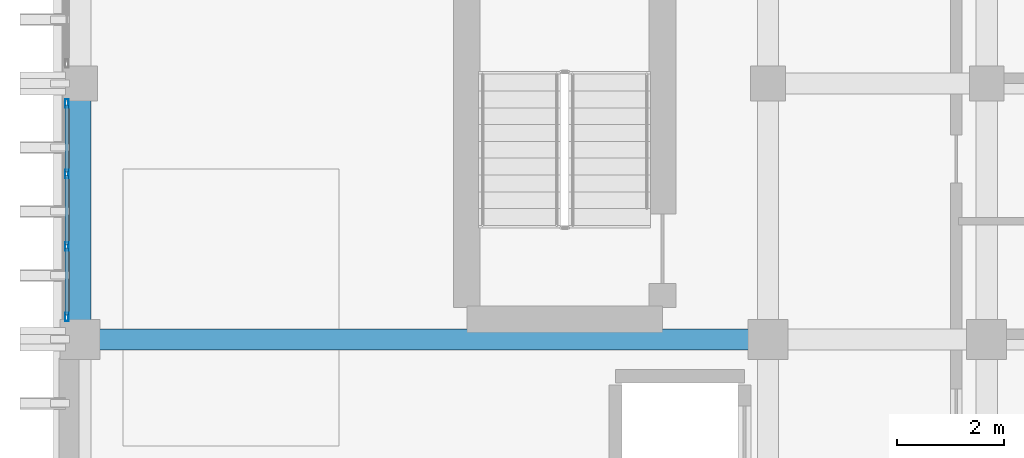
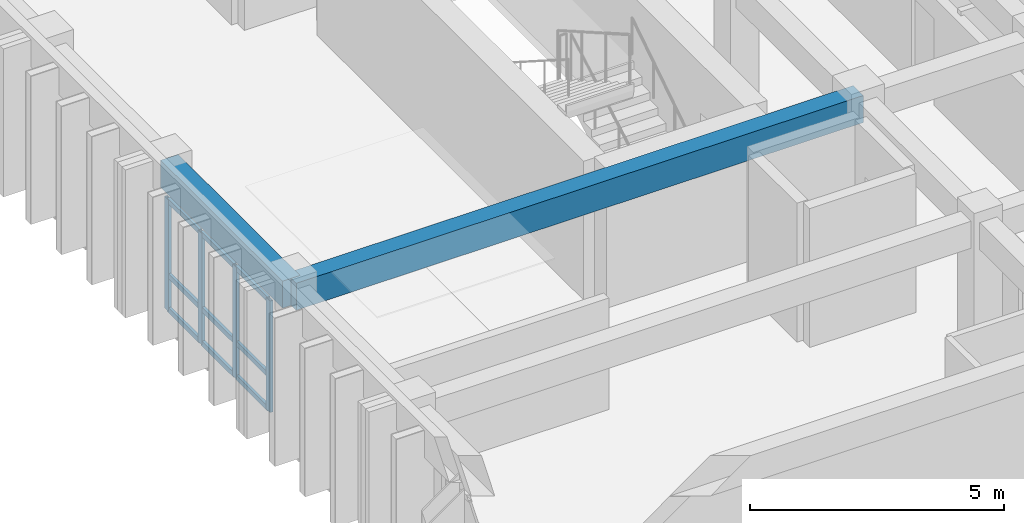
# One storey, part 20 of 64: 13 members, 2 beams, 1 element without a shape of its own.
"""IFC4 building model written with IfcOpenShell, lengths in metres."""

from ifc_helpers import new_model, si_unit, direction, frame, origin, origin_2d, place, context, subcontext, project, spatial, rectangle, hollow_rectangle, extrude, material, layer, layer_set, material_profile, profile_set, type_object, element, aggregate, save


model = new_model("IFC4")

# Units and contexts
model_context = context("Model", 3, precision=1e-05, world=origin(), true_north=direction((0.0, 1.0)))
body_context = subcontext(model_context, "Body", "Model", "MODEL_VIEW")
ifc_project = project(units=[si_unit("LENGTHUNIT", "METRE"), si_unit("AREAUNIT", "SQUARE_METRE"), si_unit("VOLUMEUNIT", "CUBIC_METRE"), si_unit("PLANEANGLEUNIT", "RADIAN"), si_unit("MASSUNIT", "GRAM", prefix="KILO")], contexts=[model_context])

# Site, building, storey
site_placement = place(None, origin())
site = spatial("IfcSite", under=ifc_project, at=site_placement, CompositionType="ELEMENT")
building_placement = place(site_placement, origin())
building = spatial("IfcBuilding", under=site, at=building_placement, Name="Nakhvara Creek Congress Hotel", CompositionType="ELEMENT")
storey_placement = place(building_placement, frame((0.0, 0.0, 28.199951171875)))
storey = spatial("IfcBuildingStorey", under=building, at=storey_placement, Name="L06", CompositionType="ELEMENT", Elevation=28.199951171875)

# Beams
ifc_material_1 = material(Name="Concrete C40/50", Category="concrete")
ifc_material_profile_1 = material_profile(ifc_material_1, rectangle(XDim=0.39990234375, YDim=0.64990234375, at=origin_2d()), Name="RC-BM 400x650", Category="LoadBearing")
ifc_profile_set_1 = profile_set([ifc_material_profile_1], Name="Concrete C40/50")
beam_type = type_object("IfcBeamType", Name="BM-RC-400X650", PredefinedType="BEAM", material=ifc_profile_set_1)
beam_1_placement = place(storey_placement, frame((149.449951171875, 76.800048828125, 3.01513671875), z_axis=(1.0, 0.0, 0.0), x_axis=(0.0, 1.0, 0.0)))
element("IfcBeam", 1, at=beam_1_placement, inside=storey, type_object=beam_type, Name="Beam B06-L06-2204", PredefinedType="BEAM", context=body_context, shape_type="SweptSolid", body=[
    extrude(rectangle(XDim=0.39990234375, YDim=0.64990234375, at=origin_2d()), origin(), (0.0, 0.0, 1.0), 12.900146484375),
])
beam_2_placement = place(storey_placement, frame((149.449951171875, 76.800048828125, 3.01513671875), z_axis=(0.0, 1.0, 0.0), x_axis=(-1.0, 0.0, 0.0)))
element("IfcBeam", 2, at=beam_2_placement, inside=storey, type_object=beam_type, Name="Beam B06-L06-2206", PredefinedType="BEAM", context=body_context, shape_type="SweptSolid", body=[
    extrude(rectangle(XDim=0.39990234375, YDim=0.64990234375, at=origin_2d()), origin(), (0.0, 0.0, 1.0), 4.800048828125),
])

# Curtain wall, members
ifc_material_2 = material(Name="Bronze-anodised aluminium AW-6063-T6 and double-silver low-E glass", Category="aluminium")
ifc_layer = layer(ifc_material_2, 0.199951171875)
ifc_layer_set = layer_set([ifc_layer], Name="Bronze-anodised aluminium AW-6063-T6 and double-silver low-E glass")
curtain_wall_type = type_object("IfcCurtainWallType", Name="CW-HTL-UNIT", PredefinedType="USERDEFINED", material=ifc_layer_set)
curtain_wall_placement = place(storey_placement, origin())
curtain_wall = element("IfcCurtainWall", 3, at=curtain_wall_placement, inside=storey, type_object=curtain_wall_type, Name="Curtain Wall CW240", ObjectType="UNITISED", PredefinedType="USERDEFINED")
ifc_material_3 = material(Name="Bronze-anodised aluminium AW-6063-T6", Category="aluminium")
ifc_material_profile_2 = material_profile(ifc_material_3, hollow_rectangle(XDim=0.06494140625, YDim=0.159912109375, WallThickness=0.00390625, at=origin_2d()), Name="ALU-MULL 65x160x4", Category="LoadBearing")
ifc_profile_set_2 = profile_set([ifc_material_profile_2], Name="Bronze-anodised aluminium AW-6063-T6")
member_type_1 = type_object("IfcMemberType", Name="CW-MULL-160", PredefinedType="MULLION", material=ifc_profile_set_2)
member_1_placement = place(storey_placement, frame((149.199951171875, 77.222412109375, 0.0), z_axis=(0.0, 0.0, 1.0), x_axis=(-1.0, 0.0, 0.0)))
member_1 = element("IfcMember", 4, at=member_1_placement, type_object=member_type_1, Name="CW240 mullion 1", PredefinedType="MULLION", context=body_context, shape_type="SweptSolid", body=[
    extrude(hollow_rectangle(XDim=0.06494140625, YDim=0.159912109375, WallThickness=0.00390625, at=origin_2d()), origin(), (0.0, 0.0, 1.0), 2.68212890625),
])
member_2_placement = place(storey_placement, frame((149.199951171875, 78.546630859375, 0.0), z_axis=(0.0, 0.0, 1.0), x_axis=(-1.0, 0.0, 0.0)))
member_2 = element("IfcMember", 5, at=member_2_placement, type_object=member_type_1, Name="CW240 mullion 2", PredefinedType="MULLION", context=body_context, shape_type="SweptSolid", body=[
    extrude(hollow_rectangle(XDim=0.06494140625, YDim=0.159912109375, WallThickness=0.00390625, at=origin_2d()), origin(), (0.0, 0.0, 1.0), 2.68212890625),
])
member_3_placement = place(storey_placement, frame((149.199951171875, 79.9033203125, 0.0), z_axis=(0.0, 0.0, 1.0), x_axis=(-1.0, 0.0, 0.0)))
member_3 = element("IfcMember", 6, at=member_3_placement, type_object=member_type_1, Name="CW240 mullion 3", PredefinedType="MULLION", context=body_context, shape_type="SweptSolid", body=[
    extrude(hollow_rectangle(XDim=0.06494140625, YDim=0.159912109375, WallThickness=0.00390625, at=origin_2d()), origin(), (0.0, 0.0, 1.0), 2.68212890625),
])
member_4_placement = place(storey_placement, frame((149.199951171875, 81.2275390625, 0.0), z_axis=(0.0, 0.0, 1.0), x_axis=(-1.0, 0.0, 0.0)))
member_4 = element("IfcMember", 7, at=member_4_placement, type_object=member_type_1, Name="CW240 mullion 4", PredefinedType="MULLION", context=body_context, shape_type="SweptSolid", body=[
    extrude(hollow_rectangle(XDim=0.06494140625, YDim=0.159912109375, WallThickness=0.00390625, at=origin_2d()), origin(), (0.0, 0.0, 1.0), 2.68212890625),
])
ifc_material_profile_3 = material_profile(ifc_material_3, hollow_rectangle(XDim=0.06494140625, YDim=0.1201171875, WallThickness=0.00390625, at=origin_2d()), Name="ALU-TRAN 65x120x4", Category="LoadBearing")
ifc_profile_set_3 = profile_set([ifc_material_profile_3], Name="Bronze-anodised aluminium AW-6063-T6")
member_type_2 = type_object("IfcMemberType", Name="CW-TRAN-120", PredefinedType="USERDEFINED", material=ifc_profile_set_3)
member_5_placement = place(storey_placement, frame((149.199951171875, 77.2548828125, 0.032470703125), z_axis=(0.0, 1.0, 0.0), x_axis=(-1.0, 0.0, 0.0)))
member_5 = element("IfcMember", 8, at=member_5_placement, type_object=member_type_2, Name="CW240 transom 1.1", ObjectType="TRANSOM", PredefinedType="USERDEFINED", context=body_context, shape_type="SweptSolid", body=[
    extrude(hollow_rectangle(XDim=0.06494140625, YDim=0.1201171875, WallThickness=0.00390625, at=origin_2d()), origin(), (0.0, 0.0, 1.0), 1.25927734375),
])
member_6_placement = place(storey_placement, frame((149.199951171875, 77.2548828125, 0.85009765625), z_axis=(0.0, 1.0, 0.0), x_axis=(-1.0, 0.0, 0.0)))
member_6 = element("IfcMember", 9, at=member_6_placement, type_object=member_type_2, Name="CW240 transom 1.2", ObjectType="TRANSOM", PredefinedType="USERDEFINED", context=body_context, shape_type="SweptSolid", body=[
    extrude(hollow_rectangle(XDim=0.06494140625, YDim=0.1201171875, WallThickness=0.00390625, at=origin_2d()), origin(), (0.0, 0.0, 1.0), 1.25927734375),
])
member_7_placement = place(storey_placement, frame((149.199951171875, 77.2548828125, 2.649658203125), z_axis=(0.0, 1.0, 0.0), x_axis=(-1.0, 0.0, 0.0)))
member_7 = element("IfcMember", 10, at=member_7_placement, type_object=member_type_2, Name="CW240 transom 1.3", ObjectType="TRANSOM", PredefinedType="USERDEFINED", context=body_context, shape_type="SweptSolid", body=[
    extrude(hollow_rectangle(XDim=0.06494140625, YDim=0.1201171875, WallThickness=0.00390625, at=origin_2d()), origin(), (0.0, 0.0, 1.0), 1.25927734375),
])
member_8_placement = place(storey_placement, frame((149.199951171875, 78.5791015625, 0.032470703125), z_axis=(0.0, 1.0, 0.0), x_axis=(-1.0, 0.0, 0.0)))
member_8 = element("IfcMember", 11, at=member_8_placement, type_object=member_type_2, Name="CW240 transom 2.1", ObjectType="TRANSOM", PredefinedType="USERDEFINED", context=body_context, shape_type="SweptSolid", body=[
    extrude(hollow_rectangle(XDim=0.06494140625, YDim=0.1201171875, WallThickness=0.00390625, at=origin_2d()), origin(), (0.0, 0.0, 1.0), 1.291748046875),
])
member_9_placement = place(storey_placement, frame((149.199951171875, 78.5791015625, 0.85009765625), z_axis=(0.0, 1.0, 0.0), x_axis=(-1.0, 0.0, 0.0)))
member_9 = element("IfcMember", 12, at=member_9_placement, type_object=member_type_2, Name="CW240 transom 2.2", ObjectType="TRANSOM", PredefinedType="USERDEFINED", context=body_context, shape_type="SweptSolid", body=[
    extrude(hollow_rectangle(XDim=0.06494140625, YDim=0.1201171875, WallThickness=0.00390625, at=origin_2d()), origin(), (0.0, 0.0, 1.0), 1.291748046875),
])
member_10_placement = place(storey_placement, frame((149.199951171875, 78.5791015625, 2.649658203125), z_axis=(0.0, 1.0, 0.0), x_axis=(-1.0, 0.0, 0.0)))
member_10 = element("IfcMember", 13, at=member_10_placement, type_object=member_type_2, Name="CW240 transom 2.3", ObjectType="TRANSOM", PredefinedType="USERDEFINED", context=body_context, shape_type="SweptSolid", body=[
    extrude(hollow_rectangle(XDim=0.06494140625, YDim=0.1201171875, WallThickness=0.00390625, at=origin_2d()), origin(), (0.0, 0.0, 1.0), 1.291748046875),
])
member_11_placement = place(storey_placement, frame((149.199951171875, 79.935791015625, 0.032470703125), z_axis=(0.0, 1.0, 0.0), x_axis=(-1.0, 0.0, 0.0)))
member_11 = element("IfcMember", 14, at=member_11_placement, type_object=member_type_2, Name="CW240 transom 3.1", ObjectType="TRANSOM", PredefinedType="USERDEFINED", context=body_context, shape_type="SweptSolid", body=[
    extrude(hollow_rectangle(XDim=0.06494140625, YDim=0.1201171875, WallThickness=0.00390625, at=origin_2d()), origin(), (0.0, 0.0, 1.0), 1.25927734375),
])
member_12_placement = place(storey_placement, frame((149.199951171875, 79.935791015625, 0.85009765625), z_axis=(0.0, 1.0, 0.0), x_axis=(-1.0, 0.0, 0.0)))
member_12 = element("IfcMember", 15, at=member_12_placement, type_object=member_type_2, Name="CW240 transom 3.2", ObjectType="TRANSOM", PredefinedType="USERDEFINED", context=body_context, shape_type="SweptSolid", body=[
    extrude(hollow_rectangle(XDim=0.06494140625, YDim=0.1201171875, WallThickness=0.00390625, at=origin_2d()), origin(), (0.0, 0.0, 1.0), 1.25927734375),
])
member_13_placement = place(storey_placement, frame((149.199951171875, 79.935791015625, 2.649658203125), z_axis=(0.0, 1.0, 0.0), x_axis=(-1.0, 0.0, 0.0)))
member_13 = element("IfcMember", 16, at=member_13_placement, type_object=member_type_2, Name="CW240 transom 3.3", ObjectType="TRANSOM", PredefinedType="USERDEFINED", context=body_context, shape_type="SweptSolid", body=[
    extrude(hollow_rectangle(XDim=0.06494140625, YDim=0.1201171875, WallThickness=0.00390625, at=origin_2d()), origin(), (0.0, 0.0, 1.0), 1.25927734375),
])
aggregate(curtain_wall, [member_1, member_2, member_3, member_4, member_5, member_6, member_7, member_8, member_9, member_10, member_11, member_12, member_13])

save(model, "model.ifc")
